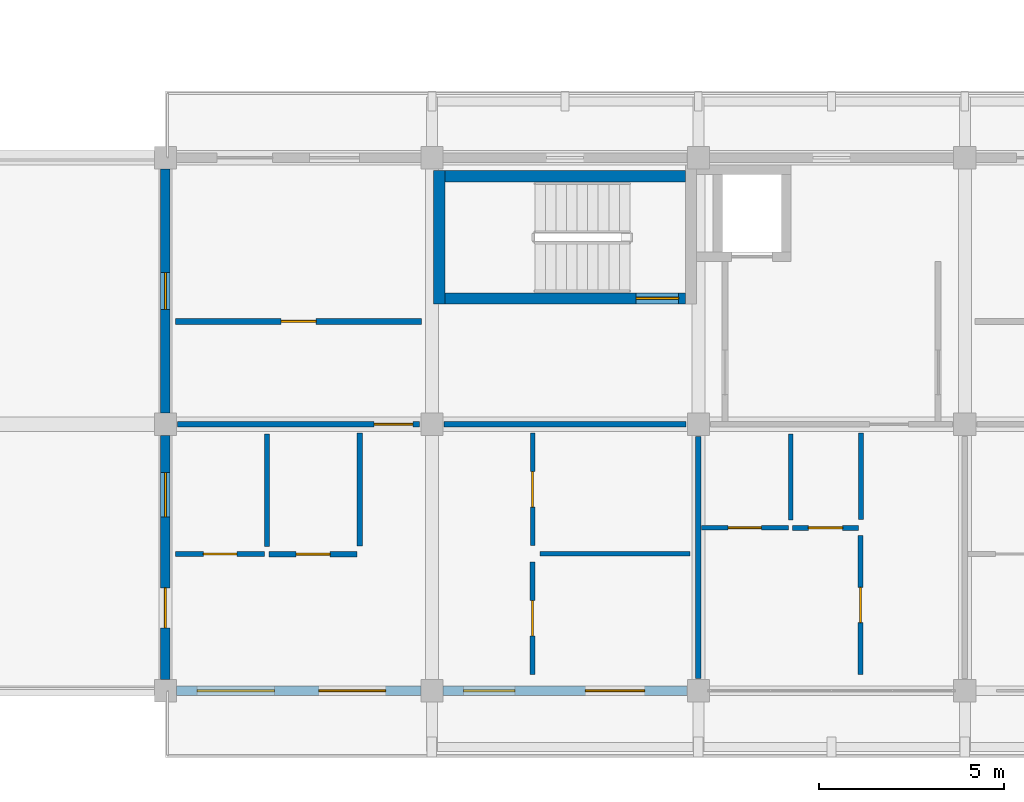
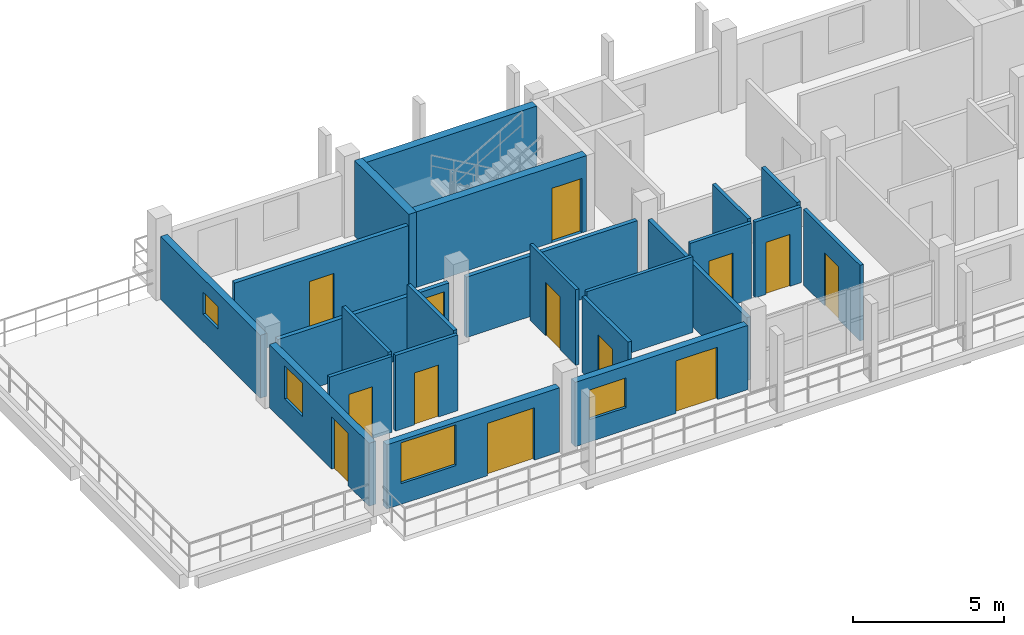
# One storey, part 49 of 75: 23 walls, 13 doors, 4 windows, 17 openings.
"""IFC4 building model written with IfcOpenShell, lengths in metres."""

from ifc_helpers import new_model, si_unit, direction, frame, frame_2d, origin, place, context, subcontext, project, spatial, rectangle, extrude, material, layer, layer_set, type_object, element, fill, save


model = new_model("IFC4")

# Units and contexts
model_context = context("Model", 3, precision=1e-05, world=origin(), true_north=direction((0.0, 1.0)))
body_context = subcontext(model_context, "Body", "Model", "MODEL_VIEW")
ifc_project = project(units=[si_unit("LENGTHUNIT", "METRE"), si_unit("AREAUNIT", "SQUARE_METRE"), si_unit("VOLUMEUNIT", "CUBIC_METRE"), si_unit("PLANEANGLEUNIT", "RADIAN"), si_unit("MASSUNIT", "GRAM", prefix="KILO")], contexts=[model_context])

# Site, building, storey
site_placement = place(None, origin())
site = spatial("IfcSite", under=ifc_project, at=site_placement, CompositionType="ELEMENT")
building_placement = place(site_placement, origin())
building = spatial("IfcBuilding", under=site, at=building_placement, Name="Suanplinth Sawtooth Commons", CompositionType="ELEMENT")
storey_placement = place(building_placement, frame((0.0, 0.0, 18.60009765625)))
storey = spatial("IfcBuildingStorey", under=building, at=storey_placement, Name="L05", CompositionType="ELEMENT", Elevation=18.60009765625)

# Wall, opening, door
ifc_material_1 = material(Name="Concrete C40/50", Category="concrete")
ifc_layer_1 = layer(ifc_material_1, 0.300048828125, Name="Standard RC stair and lift core wall 300mm")
ifc_layer_set_1 = layer_set([ifc_layer_1], Name="Concrete C40/50")
wall_type_1 = type_object("IfcWallType", Name="W-CR02", PredefinedType="SHEAR", material=ifc_layer_set_1)
wall_1_placement = place(storey_placement, frame((137.14990234375, 10.60009765625, 0.0), z_axis=(0.0, 0.0, 1.0), x_axis=(1.0, 0.0, 0.0)))
wall_1 = element("IfcWall", 1, at=wall_1_placement, inside=storey, type_object=wall_type_1, Name="W-L05-C-C1-STS", PredefinedType="SHEAR", context=body_context, shape_type="SweptSolid", body=[
    extrude(rectangle(XDim=6.5, YDim=0.300048828125, at=frame_2d((3.25, 0.0))), origin(), (0.0, 0.0, 1.0), 3.059814453125),
])
opening_1_placement = place(wall_1_placement, frame((5.169921875, 0.0, 0.0)))
opening_1 = element("IfcOpeningElement", 2, at=opening_1_placement, cuts=wall_1, Name="Opening FD0300", PredefinedType="OPENING", context=body_context, shape_type="SweptSolid", body=[
    extrude(rectangle(XDim=1.14990234375, YDim=2.199951171875, at=frame_2d((0.574951171875, 1.10009765625))), frame((0.0, 0.1650390625, 0.0), z_axis=(0.0, -1.0, 0.0), x_axis=(1.0, 0.0, 0.0)), (0.0, 0.0, 1.0), 0.329833984375),
])
ifc_material_2 = material(Name="Teak hardwood fire-rated door assembly", Category="wood")
door_type_1 = type_object("IfcDoorType", Name="FD-01", OperationType="NOTDEFINED", PredefinedType="DOOR", material=ifc_material_2)
door_1_placement = place(opening_1_placement, origin())
door_1 = element("IfcDoor", 3, at=door_1_placement, inside=storey, type_object=door_type_1, Name="Exit Stair Fire Door FD0300", OperationType="SINGLE_SWING_LEFT", OverallHeight=2.199951171875, OverallWidth=1.14990234375, PredefinedType="DOOR", context=body_context, shape_type="SweptSolid", body=[
    extrude(rectangle(XDim=1.14990234375, YDim=2.199951171875, at=frame_2d((0.574951171875, 1.10009765625))), frame((0.0, 0.02490234375, 0.0), z_axis=(0.0, -1.0, 0.0), x_axis=(1.0, 0.0, 0.0)), (0.0, 0.0, 1.0), 0.050048828125),
])
fill(opening_1, door_1)

# Walls
wall_2_placement = place(storey_placement, frame((137.14990234375, 13.89990234375, 0.0), z_axis=(0.0, 0.0, 1.0), x_axis=(1.0, 0.0, 0.0)))
element("IfcWall", 4, at=wall_2_placement, inside=storey, type_object=wall_type_1, Name="W-L05-C-C1-STN", PredefinedType="SHEAR", context=body_context, shape_type="SweptSolid", body=[
    extrude(rectangle(XDim=6.5, YDim=0.300048828125, at=frame_2d((3.25, 0.0))), origin(), (0.0, 0.0, 1.0), 3.059814453125),
])
wall_3_placement = place(storey_placement, frame((137.0, 10.449951171875, 0.0), z_axis=(0.0, 0.0, 1.0), x_axis=(0.0, 1.0, 0.0)))
element("IfcWall", 5, at=wall_3_placement, inside=storey, type_object=wall_type_1, Name="W-L05-C-C1-STW", PredefinedType="SHEAR", context=body_context, shape_type="SweptSolid", body=[
    extrude(rectangle(XDim=3.60009765625, YDim=0.300048828125, at=frame_2d((1.800048828125, 0.0))), origin(), (0.0, 0.0, 1.0), 3.059814453125),
])

# Wall, openings, door, window
ifc_material_3 = material(Name="Precast concrete C40/50", Category="concrete")
ifc_layer_2 = layer(ifc_material_3, 0.260009765625, Name="Insulated precast courtyard facade wall 260mm")
ifc_layer_set_2 = layer_set([ifc_layer_2], Name="Precast concrete C40/50")
wall_type_2 = type_object("IfcWallType", Name="W-EX02", PredefinedType="ELEMENTEDWALL", material=ifc_layer_set_2)
wall_4_placement = place(storey_placement, frame((129.89990234375, 0.0, 0.0), z_axis=(0.0, 0.0, 1.0), x_axis=(1.0, 0.0, 0.0)))
wall_4 = element("IfcWall", 6, at=wall_4_placement, inside=storey, type_object=wall_type_2, Name="Facade Wall W-L05-C-S-18-0", PredefinedType="ELEMENTEDWALL", context=body_context, shape_type="SweptSolid", body=[
    extrude(rectangle(XDim=6.60009765625, YDim=0.260009765625, at=frame_2d((3.300048828125, 0.0))), origin(), (0.0, 0.0, 1.0), 2.594970703125),
])
opening_2_placement = place(wall_4_placement, frame((3.85009765625, 0.0, 0.0)))
opening_2 = element("IfcOpeningElement", 7, at=opening_2_placement, cuts=wall_4, Name="Opening ED0443", PredefinedType="OPENING", context=body_context, shape_type="SweptSolid", body=[
    extrude(rectangle(XDim=1.800048828125, YDim=2.1201171875, at=frame_2d((0.89990234375, 1.06005859375))), frame((0.0, 0.14501953125, 0.0), z_axis=(0.0, -1.0, 0.0), x_axis=(1.0, 0.0, 0.0)), (0.0, 0.0, 1.0), 0.289794921875),
])
opening_3_placement = place(wall_4_placement, frame((0.550048828125, 0.0, 0.8349609375)))
opening_3 = element("IfcOpeningElement", 8, at=opening_3_placement, cuts=wall_4, Name="Opening W0531", PredefinedType="OPENING", context=body_context, shape_type="SweptSolid", body=[
    extrude(rectangle(XDim=2.10009765625, YDim=1.64990234375, at=frame_2d((1.050048828125, 0.824951171875))), frame((0.0, 0.14501953125, 0.0), z_axis=(0.0, -1.0, 0.0), x_axis=(1.0, 0.0, 0.0)), (0.0, 0.0, 1.0), 0.289794921875),
])
ifc_material_4 = material(Name="Anodized aluminium and low-E glass", Category="aluminium")
door_type_2 = type_object("IfcDoorType", Name="SD-01", OperationType="SLIDING_TO_LEFT", PredefinedType="DOOR", material=ifc_material_4)
door_2_placement = place(opening_2_placement, frame((1.800048828125, 0.0, 0.0), z_axis=(0.0, 0.0, 1.0), x_axis=(-1.0, 0.0, 0.0)))
door_2 = element("IfcDoor", 9, at=door_2_placement, inside=storey, type_object=door_type_2, Name="Balcony Sliding Door L05-C-18", OperationType="SLIDING_TO_LEFT", OverallHeight=2.1201171875, OverallWidth=1.800048828125, PredefinedType="DOOR", context=body_context, shape_type="SweptSolid", body=[
    extrude(rectangle(XDim=1.800048828125, YDim=2.1201171875, at=frame_2d((0.89990234375, 1.06005859375))), frame((0.0, 0.02490234375, 0.0), z_axis=(0.0, -1.0, 0.0), x_axis=(1.0, 0.0, 0.0)), (0.0, 0.0, 1.0), 0.050048828125),
])
fill(opening_2, door_2)
ifc_material_5 = material(Name="Thermally broken aluminium and low-E double glazing", Category="aluminium")
window_type_1 = type_object("IfcWindowType", Name="WN-06", PartitioningType="DOUBLE_PANEL_VERTICAL", PredefinedType="WINDOW", material=ifc_material_5)
window_1_placement = place(opening_3_placement, origin())
window_1 = element("IfcWindow", 10, at=window_1_placement, inside=storey, type_object=window_type_1, Name="Apartment Window L05-C-18", OverallHeight=1.64990234375, OverallWidth=2.10009765625, PartitioningType="DOUBLE_PANEL_VERTICAL", PredefinedType="WINDOW", context=body_context, shape_type="SweptSolid", body=[
    extrude(rectangle(XDim=2.10009765625, YDim=1.64990234375, at=frame_2d((1.050048828125, 0.824951171875))), frame((0.0, 0.030029296875, 0.0), z_axis=(0.0, -1.0, 0.0), x_axis=(1.0, 0.0, 0.0)), (0.0, 0.0, 1.0), 0.06005859375),
])
fill(opening_3, window_1)

wall_5_placement = place(storey_placement, frame((129.60009765625, 0.300048828125, 0.0), z_axis=(0.0, 0.0, 1.0), x_axis=(0.0, 1.0, 0.0)))
wall_5 = element("IfcWall", 11, at=wall_5_placement, inside=storey, type_object=wall_type_2, Name="Facade Wall W-L05-C-W-18-0", PredefinedType="ELEMENTEDWALL", context=body_context, shape_type="SweptSolid", body=[
    extrude(rectangle(XDim=6.599853515625, YDim=0.260009765625, at=frame_2d((3.2998046875, 0.0))), origin(), (0.0, 0.0, 1.0), 2.544921875),
])
opening_4_placement = place(wall_5_placement, frame((1.39990234375, 0.0, 0.0)))
opening_4 = element("IfcOpeningElement", 12, at=opening_4_placement, cuts=wall_5, Name="Opening ED0444", PredefinedType="OPENING", context=body_context, shape_type="SweptSolid", body=[
    extrude(rectangle(XDim=1.080078125, YDim=2.1201171875, at=frame_2d((0.5400390625, 1.06005859375))), frame((0.0, 0.14501953125, 0.0), z_axis=(0.0, -1.0, 0.0), x_axis=(1.0, 0.0, 0.0)), (0.0, 0.0, 1.0), 0.289794921875),
])
opening_5_placement = place(wall_5_placement, frame((4.39990234375, 0.0, 0.949951171875)))
opening_5 = element("IfcOpeningElement", 13, at=opening_5_placement, cuts=wall_5, Name="Opening W0532", PredefinedType="OPENING", context=body_context, shape_type="SweptSolid", body=[
    extrude(rectangle(XDim=1.199951171875, YDim=1.35009765625, at=frame_2d((0.60009765625, 0.675048828125))), frame((0.0, 0.14501953125, 0.0), z_axis=(0.0, -1.0, 0.0), x_axis=(1.0, 0.0, 0.0)), (0.0, 0.0, 1.0), 0.289794921875),
])
door_type_3 = type_object("IfcDoorType", Name="ED-10", OperationType="NOTDEFINED", PredefinedType="DOOR", material=ifc_material_4)
door_3_placement = place(opening_4_placement, frame((1.080078125, 0.0, 0.0), z_axis=(0.0, 0.0, 1.0), x_axis=(-1.0, 0.0, 0.0)))
door_3 = element("IfcDoor", 14, at=door_3_placement, inside=storey, type_object=door_type_3, Name="L05 Block C Stepped Sky-Terrace Door 1", OperationType="SINGLE_SWING_RIGHT", OverallHeight=2.1201171875, OverallWidth=1.080078125, PredefinedType="DOOR", context=body_context, shape_type="SweptSolid", body=[
    extrude(rectangle(XDim=1.080078125, YDim=2.1201171875, at=frame_2d((0.5400390625, 1.06005859375))), frame((0.0, 0.02490234375, 0.0), z_axis=(0.0, -1.0, 0.0), x_axis=(1.0, 0.0, 0.0)), (0.0, 0.0, 1.0), 0.050048828125),
])
fill(opening_4, door_3)
window_type_2 = type_object("IfcWindowType", Name="WN-03", PartitioningType="SINGLE_PANEL", PredefinedType="WINDOW", material=ifc_material_5)
window_2_placement = place(opening_5_placement, origin())
window_2 = element("IfcWindow", 15, at=window_2_placement, inside=storey, type_object=window_type_2, Name="Terrace Bedroom Window L05-C-18-0", OverallHeight=1.35009765625, OverallWidth=1.199951171875, PartitioningType="SINGLE_PANEL", PredefinedType="WINDOW", context=body_context, shape_type="SweptSolid", body=[
    extrude(rectangle(XDim=1.199951171875, YDim=1.35009765625, at=frame_2d((0.60009765625, 0.675048828125))), frame((0.0, 0.030029296875, 0.0), z_axis=(0.0, -1.0, 0.0), x_axis=(1.0, 0.0, 0.0)), (0.0, 0.0, 1.0), 0.06005859375),
])
fill(opening_5, window_2)

# Wall, opening, window
wall_6_placement = place(storey_placement, frame((129.60009765625, 7.5, 0.0), z_axis=(0.0, 0.0, 1.0), x_axis=(0.0, 1.0, 0.0)))
wall_6 = element("IfcWall", 16, at=wall_6_placement, inside=storey, type_object=wall_type_2, Name="Facade Wall W-L05-C-W-18-1", PredefinedType="ELEMENTEDWALL", context=body_context, shape_type="SweptSolid", body=[
    extrude(rectangle(XDim=6.60009765625, YDim=0.260009765625, at=frame_2d((3.300048828125, 0.0))), origin(), (0.0, 0.0, 1.0), 2.544921875),
])
opening_6_placement = place(wall_6_placement, frame((2.800048828125, 0.0, 1.10009765625)))
opening_6 = element("IfcOpeningElement", 17, at=opening_6_placement, cuts=wall_6, Name="Opening W0534", PredefinedType="OPENING", context=body_context, shape_type="SweptSolid", body=[
    extrude(rectangle(XDim=1.0, YDim=0.89990234375, at=frame_2d((0.5, 0.449951171875))), frame((0.0, 0.14501953125, 0.0), z_axis=(0.0, -1.0, 0.0), x_axis=(1.0, 0.0, 0.0)), (0.0, 0.0, 1.0), 0.289794921875),
])
window_type_3 = type_object("IfcWindowType", Name="WN-12", PartitioningType="SINGLE_PANEL", PredefinedType="WINDOW", material=ifc_material_5)
window_3_placement = place(opening_6_placement, origin())
window_3 = element("IfcWindow", 18, at=window_3_placement, inside=storey, type_object=window_type_3, Name="End Window L05-C-W-18-1", OverallHeight=0.89990234375, OverallWidth=1.0, PartitioningType="SINGLE_PANEL", PredefinedType="WINDOW", context=body_context, shape_type="SweptSolid", body=[
    extrude(rectangle(XDim=1.0, YDim=0.89990234375, at=frame_2d((0.5, 0.449951171875))), frame((0.0, 0.030029296875, 0.0), z_axis=(0.0, -1.0, 0.0), x_axis=(1.0, 0.0, 0.0)), (0.0, 0.0, 1.0), 0.06005859375),
])
fill(opening_6, window_3)

# Wall, openings, door, window
wall_7_placement = place(storey_placement, frame((137.10009765625, 0.0, 0.0), z_axis=(0.0, 0.0, 1.0), x_axis=(1.0, 0.0, 0.0)))
wall_7 = element("IfcWall", 19, at=wall_7_placement, inside=storey, type_object=wall_type_2, Name="Facade Wall W-L05-C-S-19-0", PredefinedType="ELEMENTEDWALL", context=body_context, shape_type="SweptSolid", body=[
    extrude(rectangle(XDim=6.599853515625, YDim=0.260009765625, at=frame_2d((3.2998046875, 0.0))), origin(), (0.0, 0.0, 1.0), 2.594970703125),
])
opening_7_placement = place(wall_7_placement, frame((3.85009765625, 0.0, 0.0)))
opening_7 = element("IfcOpeningElement", 20, at=opening_7_placement, cuts=wall_7, Name="Opening ED0446", PredefinedType="OPENING", context=body_context, shape_type="SweptSolid", body=[
    extrude(rectangle(XDim=1.60009765625, YDim=2.1201171875, at=frame_2d((0.800048828125, 1.06005859375))), frame((0.0, 0.14501953125, 0.0), z_axis=(0.0, -1.0, 0.0), x_axis=(1.0, 0.0, 0.0)), (0.0, 0.0, 1.0), 0.289794921875),
])
opening_8_placement = place(wall_7_placement, frame((0.550048828125, 0.0, 0.89990234375)))
opening_8 = element("IfcOpeningElement", 21, at=opening_8_placement, cuts=wall_7, Name="Opening W0535", PredefinedType="OPENING", context=body_context, shape_type="SweptSolid", body=[
    extrude(rectangle(XDim=1.39990234375, YDim=1.199951171875, at=frame_2d((0.699951171875, 0.60009765625))), frame((0.0, 0.14501953125, 0.0), z_axis=(0.0, -1.0, 0.0), x_axis=(1.0, 0.0, 0.0)), (0.0, 0.0, 1.0), 0.289794921875),
])
door_type_4 = type_object("IfcDoorType", Name="SD-02", OperationType="SLIDING_TO_RIGHT", PredefinedType="DOOR", material=ifc_material_4)
door_4_placement = place(opening_7_placement, frame((1.60009765625, 0.0, 0.0), z_axis=(0.0, 0.0, 1.0), x_axis=(-1.0, 0.0, 0.0)))
door_4 = element("IfcDoor", 22, at=door_4_placement, inside=storey, type_object=door_type_4, Name="Balcony Sliding Door L05-C-19", OperationType="SLIDING_TO_RIGHT", OverallHeight=2.1201171875, OverallWidth=1.60009765625, PredefinedType="DOOR", context=body_context, shape_type="SweptSolid", body=[
    extrude(rectangle(XDim=1.60009765625, YDim=2.1201171875, at=frame_2d((0.800048828125, 1.06005859375))), frame((0.0, 0.02490234375, 0.0), z_axis=(0.0, -1.0, 0.0), x_axis=(1.0, 0.0, 0.0)), (0.0, 0.0, 1.0), 0.050048828125),
])
fill(opening_7, door_4)
window_type_4 = type_object("IfcWindowType", Name="WN-10", PartitioningType="DOUBLE_PANEL_HORIZONTAL", PredefinedType="WINDOW", material=ifc_material_5)
window_4_placement = place(opening_8_placement, origin())
window_4 = element("IfcWindow", 23, at=window_4_placement, inside=storey, type_object=window_type_4, Name="Apartment Window L05-C-19", OverallHeight=1.199951171875, OverallWidth=1.39990234375, PartitioningType="DOUBLE_PANEL_HORIZONTAL", PredefinedType="WINDOW", context=body_context, shape_type="SweptSolid", body=[
    extrude(rectangle(XDim=1.39990234375, YDim=1.199951171875, at=frame_2d((0.699951171875, 0.60009765625))), frame((0.0, 0.030029296875, 0.0), z_axis=(0.0, -1.0, 0.0), x_axis=(1.0, 0.0, 0.0)), (0.0, 0.0, 1.0), 0.06005859375),
])
fill(opening_8, window_4)

# Wall, opening, door
ifc_layer_3 = layer(ifc_material_3, 0.159912109375, Name="Fire-rated corridor and lobby wall 160mm")
ifc_layer_set_3 = layer_set([ifc_layer_3], Name="Precast concrete C40/50")
wall_type_3 = type_object("IfcWallType", Name="W-FW01", PredefinedType="PARTITIONING", material=ifc_layer_set_3)
wall_8_placement = place(storey_placement, frame((129.929931640625, 7.199951171875, 0.0), z_axis=(0.0, 0.0, 1.0), x_axis=(1.0, 0.0, 0.0)))
wall_8 = element("IfcWall", 24, at=wall_8_placement, inside=storey, type_object=wall_type_3, Name="W-C-L05-U01-COR-S1", PredefinedType="PARTITIONING", context=body_context, shape_type="SweptSolid", body=[
    extrude(rectangle(XDim=6.5400390625, YDim=0.159912109375, at=frame_2d((3.27001953125, 0.0))), origin(), (0.0, 0.0, 1.0), 2.44482421875),
])
opening_9_placement = place(wall_8_placement, frame((5.31005859375, 0.0, 0.0)))
opening_9 = element("IfcOpeningElement", 25, at=opening_9_placement, cuts=wall_8, Name="Opening FD1291", PredefinedType="OPENING", context=body_context, shape_type="SweptSolid", body=[
    extrude(rectangle(XDim=1.050048828125, YDim=2.14990234375, at=frame_2d((0.52490234375, 1.074951171875))), frame((0.0, 0.0947265625, 0.0), z_axis=(0.0, -1.0, 0.0), x_axis=(1.0, 0.0, 0.0)), (0.0, 0.0, 1.0), 0.189697265625),
])
door_type_5 = type_object("IfcDoorType", Name="FD-04", OperationType="NOTDEFINED", PredefinedType="DOOR", material=ifc_material_2)
door_5_placement = place(opening_9_placement, frame((1.050048828125, 0.0, 0.0), z_axis=(0.0, 0.0, 1.0), x_axis=(-1.0, 0.0, 0.0)))
door_5 = element("IfcDoor", 26, at=door_5_placement, inside=storey, type_object=door_type_5, Name="Unit Entrance Door FD1291", OperationType="SINGLE_SWING_LEFT", OverallHeight=2.14990234375, OverallWidth=1.050048828125, PredefinedType="DOOR", context=body_context, shape_type="SweptSolid", body=[
    extrude(rectangle(XDim=1.050048828125, YDim=2.14990234375, at=frame_2d((0.52490234375, 1.074951171875))), frame((0.0, 0.02490234375, 0.0), z_axis=(0.0, -1.0, 0.0), x_axis=(1.0, 0.0, 0.0)), (0.0, 0.0, 1.0), 0.050048828125),
])
fill(opening_9, door_5)

# Wall
wall_9_placement = place(storey_placement, frame((137.1298828125, 7.199951171875, 0.0), z_axis=(0.0, 0.0, 1.0), x_axis=(1.0, 0.0, 0.0)))
element("IfcWall", 27, at=wall_9_placement, inside=storey, type_object=wall_type_3, Name="W-C-L05-U01-COR-S2", PredefinedType="PARTITIONING", context=body_context, shape_type="SweptSolid", body=[
    extrude(rectangle(XDim=6.5400390625, YDim=0.159912109375, at=frame_2d((3.27001953125, 0.0))), origin(), (0.0, 0.0, 1.0), 2.44482421875),
])

# Wall, opening, door
wall_10_placement = place(storey_placement, frame((129.8798828125, 9.97998046875, 0.0), z_axis=(0.0, 0.0, 1.0), x_axis=(1.0, 0.0, 0.0)))
wall_10 = element("IfcWall", 28, at=wall_10_placement, inside=storey, type_object=wall_type_3, Name="W-C-L05-COURTROOM-46-COR", PredefinedType="PARTITIONING", context=body_context, shape_type="SweptSolid", body=[
    extrude(rectangle(XDim=6.64013671875, YDim=0.159912109375, at=frame_2d((3.320068359375, 0.0))), origin(), (0.0, 0.0, 1.0), 3.059814453125),
])
opening_10_placement = place(wall_10_placement, frame((2.85009765625, 0.0, 0.0)))
opening_10 = element("IfcOpeningElement", 29, at=opening_10_placement, cuts=wall_10, Name="Opening D1314", PredefinedType="OPENING", context=body_context, shape_type="SweptSolid", body=[
    extrude(rectangle(XDim=0.93994140625, YDim=2.1201171875, at=frame_2d((0.469970703125, 1.06005859375))), frame((0.0, 0.0947265625, 0.0), z_axis=(0.0, -1.0, 0.0), x_axis=(1.0, 0.0, 0.0)), (0.0, 0.0, 1.0), 0.189697265625),
])
ifc_material_6 = material(Name="Teak hardwood", Category="wood")
door_type_6 = type_object("IfcDoorType", Name="D-15", OperationType="NOTDEFINED", PredefinedType="DOOR", material=ifc_material_6)
door_6_placement = place(opening_10_placement, origin())
door_6 = element("IfcDoor", 30, at=door_6_placement, inside=storey, type_object=door_type_6, Name="Study Studio Door D1314", OperationType="SINGLE_SWING_RIGHT", OverallHeight=2.1201171875, OverallWidth=0.93994140625, PredefinedType="DOOR", context=body_context, shape_type="SweptSolid", body=[
    extrude(rectangle(XDim=0.93994140625, YDim=2.1201171875, at=frame_2d((0.469970703125, 1.06005859375))), frame((0.0, 0.02490234375, 0.0), z_axis=(0.0, -1.0, 0.0), x_axis=(1.0, 0.0, 0.0)), (0.0, 0.0, 1.0), 0.050048828125),
])
fill(opening_10, door_6)

# Wall
ifc_layer_4 = layer(ifc_material_3, 0.14990234375, Name="Acoustic precast party demising wall 150mm")
ifc_layer_set_4 = layer_set([ifc_layer_4], Name="Precast concrete C40/50")
wall_type_4 = type_object("IfcWallType", Name="W-FW02", PredefinedType="PARTITIONING", material=ifc_layer_set_4)
wall_11_placement = place(storey_placement, frame((144.0, 0.330078125, 0.0), z_axis=(0.0, 0.0, 1.0), x_axis=(0.0, 1.0, 0.0)))
element("IfcWall", 31, at=wall_11_placement, inside=storey, type_object=wall_type_4, Name="W-C-L05-U01-PTY", PredefinedType="PARTITIONING", context=body_context, shape_type="SweptSolid", body=[
    extrude(rectangle(XDim=6.5400390625, YDim=0.14990234375, at=frame_2d((3.27001953125, 0.0))), origin(), (0.0, 0.0, 1.0), 2.544921875),
])

# Wall, opening, door
ifc_material_7 = material(Name="Gypsum plasterboard on steel stud", Category="steel")
ifc_layer_5 = layer(ifc_material_7, 0.139892578125, Name="Fire-rated kitchen partition 140mm")
ifc_layer_set_5 = layer_set([ifc_layer_5], Name="Gypsum plasterboard on steel stud")
wall_type_5 = type_object("IfcWallType", Name="W-PT01", PredefinedType="PARTITIONING", material=ifc_layer_set_5)
wall_12_placement = place(storey_placement, frame((132.39990234375, 3.68994140625, 0.0), z_axis=(0.0, 0.0, 1.0), x_axis=(1.0, 0.0, 0.0)))
wall_12 = element("IfcWall", 32, at=wall_12_placement, inside=storey, type_object=wall_type_5, Name="W-C-L05-U01-KIT1", PredefinedType="PARTITIONING", context=body_context, shape_type="SweptSolid", body=[
    extrude(rectangle(XDim=2.380126953125, YDim=0.139892578125, at=frame_2d((1.18994140625, 0.0))), origin(), (0.0, 0.0, 1.0), 3.059814453125),
])
opening_11_placement = place(wall_12_placement, frame((0.72998046875, 0.0, 0.0)))
opening_11 = element("IfcOpeningElement", 33, at=opening_11_placement, cuts=wall_12, Name="Opening D1293", PredefinedType="OPENING", context=body_context, shape_type="SweptSolid", body=[
    extrude(rectangle(XDim=0.919921875, YDim=2.10009765625, at=frame_2d((0.4599609375, 1.050048828125))), frame((0.0, 0.0849609375, 0.0), z_axis=(0.0, -1.0, 0.0), x_axis=(1.0, 0.0, 0.0)), (0.0, 0.0, 1.0), 0.169677734375),
])
door_type_7 = type_object("IfcDoorType", Name="D-02", OperationType="NOTDEFINED", PredefinedType="DOOR", material=ifc_material_6)
door_7_placement = place(opening_11_placement, origin())
door_7 = element("IfcDoor", 34, at=door_7_placement, inside=storey, type_object=door_type_7, Name="Kitchen Door D1293", OperationType="SINGLE_SWING_LEFT", OverallHeight=2.10009765625, OverallWidth=0.919921875, PredefinedType="DOOR", context=body_context, shape_type="SweptSolid", body=[
    extrude(rectangle(XDim=0.919921875, YDim=2.10009765625, at=frame_2d((0.4599609375, 1.050048828125))), frame((0.0, 0.02490234375, 0.0), z_axis=(0.0, -1.0, 0.0), x_axis=(1.0, 0.0, 0.0)), (0.0, 0.0, 1.0), 0.050048828125),
])
fill(opening_11, door_7)

# Wall
wall_13_placement = place(storey_placement, frame((134.85009765625, 3.909912109375, 0.0), z_axis=(0.0, 0.0, 1.0), x_axis=(0.0, 1.0, 0.0)))
element("IfcWall", 35, at=wall_13_placement, inside=storey, type_object=wall_type_5, Name="W-C-L05-U01-KIT2", PredefinedType="PARTITIONING", context=body_context, shape_type="SweptSolid", body=[
    extrude(rectangle(XDim=3.06005859375, YDim=0.139892578125, at=frame_2d((1.530029296875, 0.0))), origin(), (0.0, 0.0, 1.0), 3.059814453125),
])

# Wall, opening, door
wall_14_placement = place(storey_placement, frame((146.550048828125, 4.39990234375, 0.0), z_axis=(0.0, 0.0, 1.0), x_axis=(1.0, 0.0, 0.0)))
wall_14 = element("IfcWall", 36, at=wall_14_placement, inside=storey, type_object=wall_type_5, Name="W-C-L05-U02-KIT1", PredefinedType="PARTITIONING", context=body_context, shape_type="SweptSolid", body=[
    extrude(rectangle(XDim=1.77001953125, YDim=0.139892578125, at=frame_2d((0.885009765625, 0.0))), origin(), (0.0, 0.0, 1.0), 3.059814453125),
])
opening_12_placement = place(wall_14_placement, frame((0.425048828125, 0.0, 0.0)))
opening_12 = element("IfcOpeningElement", 37, at=opening_12_placement, cuts=wall_14, Name="Opening D1298", PredefinedType="OPENING", context=body_context, shape_type="SweptSolid", body=[
    extrude(rectangle(XDim=0.919921875, YDim=2.10009765625, at=frame_2d((0.4599609375, 1.050048828125))), frame((0.0, 0.0849609375, 0.0), z_axis=(0.0, -1.0, 0.0), x_axis=(1.0, 0.0, 0.0)), (0.0, 0.0, 1.0), 0.169677734375),
])
door_8_placement = place(opening_12_placement, origin())
door_8 = element("IfcDoor", 38, at=door_8_placement, inside=storey, type_object=door_type_7, Name="Kitchen Door D1298", OperationType="SINGLE_SWING_RIGHT", OverallHeight=2.10009765625, OverallWidth=0.919921875, PredefinedType="DOOR", context=body_context, shape_type="SweptSolid", body=[
    extrude(rectangle(XDim=0.919921875, YDim=2.10009765625, at=frame_2d((0.4599609375, 1.050048828125))), frame((0.0, 0.02490234375, 0.0), z_axis=(0.0, -1.0, 0.0), x_axis=(1.0, 0.0, 0.0)), (0.0, 0.0, 1.0), 0.050048828125),
])
fill(opening_12, door_8)

# Wall
wall_15_placement = place(storey_placement, frame((148.389892578125, 4.6201171875, 0.0), z_axis=(0.0, 0.0, 1.0), x_axis=(0.0, 1.0, 0.0)))
element("IfcWall", 39, at=wall_15_placement, inside=storey, type_object=wall_type_5, Name="W-C-L05-U02-KIT2", PredefinedType="PARTITIONING", context=body_context, shape_type="SweptSolid", body=[
    extrude(rectangle(XDim=2.349853515625, YDim=0.139892578125, at=frame_2d((1.1748046875, 0.0))), origin(), (0.0, 0.0, 1.0), 3.059814453125),
])

# Wall, opening, door
ifc_layer_6 = layer(ifc_material_7, 0.1298828125, Name="Moisture-resistant bathroom partition 130mm")
ifc_layer_set_6 = layer_set([ifc_layer_6], Name="Gypsum plasterboard on steel stud")
wall_type_6 = type_object("IfcWallType", Name="W-PT02", PredefinedType="PARTITIONING", material=ifc_layer_set_6)
wall_16_placement = place(storey_placement, frame((129.8798828125, 3.695068359375, 0.0), z_axis=(0.0, 0.0, 1.0), x_axis=(1.0, 0.0, 0.0)))
wall_16 = element("IfcWall", 40, at=wall_16_placement, inside=storey, type_object=wall_type_6, Name="W-C-L05-U01-BTH1", PredefinedType="PARTITIONING", context=body_context, shape_type="SweptSolid", body=[
    extrude(rectangle(XDim=2.400146484375, YDim=0.1298828125, at=frame_2d((1.2001953125, 0.0))), origin(), (0.0, 0.0, 1.0), 3.059814453125),
])
opening_13_placement = place(wall_16_placement, frame((0.75, 0.0, 0.0)))
opening_13 = element("IfcOpeningElement", 41, at=opening_13_placement, cuts=wall_16, Name="Opening D1292", PredefinedType="OPENING", context=body_context, shape_type="SweptSolid", body=[
    extrude(rectangle(XDim=0.89990234375, YDim=2.10009765625, at=frame_2d((0.449951171875, 1.050048828125))), frame((0.0, 0.079833984375, 0.0), z_axis=(0.0, -1.0, 0.0), x_axis=(1.0, 0.0, 0.0)), (0.0, 0.0, 1.0), 0.15966796875),
])
door_type_8 = type_object("IfcDoorType", Name="D-01", OperationType="NOTDEFINED", PredefinedType="DOOR", material=ifc_material_6)
door_9_placement = place(opening_13_placement, origin())
door_9 = element("IfcDoor", 42, at=door_9_placement, inside=storey, type_object=door_type_8, Name="Bathroom Door D1292", OperationType="SINGLE_SWING_RIGHT", OverallHeight=2.10009765625, OverallWidth=0.89990234375, PredefinedType="DOOR", context=body_context, shape_type="SweptSolid", body=[
    extrude(rectangle(XDim=0.89990234375, YDim=2.10009765625, at=frame_2d((0.449951171875, 1.050048828125))), frame((0.0, 0.02490234375, 0.0), z_axis=(0.0, -1.0, 0.0), x_axis=(1.0, 0.0, 0.0)), (0.0, 0.0, 1.0), 0.050048828125),
])
fill(opening_13, door_9)

# Wall
wall_17_placement = place(storey_placement, frame((132.344970703125, 3.89990234375, 0.0), z_axis=(0.0, 0.0, 1.0), x_axis=(0.0, 1.0, 0.0)))
element("IfcWall", 43, at=wall_17_placement, inside=storey, type_object=wall_type_6, Name="W-C-L05-U01-BTH2", PredefinedType="PARTITIONING", context=body_context, shape_type="SweptSolid", body=[
    extrude(rectangle(XDim=3.0400390625, YDim=0.1298828125, at=frame_2d((1.52001953125, 0.0))), origin(), (0.0, 0.0, 1.0), 3.059814453125),
])

# Wall, opening, door
wall_18_placement = place(storey_placement, frame((144.080078125, 4.405029296875, 0.0), z_axis=(0.0, 0.0, 1.0), x_axis=(1.0, 0.0, 0.0)))
wall_18 = element("IfcWall", 44, at=wall_18_placement, inside=storey, type_object=wall_type_6, Name="W-C-L05-U02-BTH1", PredefinedType="PARTITIONING", context=body_context, shape_type="SweptSolid", body=[
    extrude(rectangle(XDim=2.349853515625, YDim=0.1298828125, at=frame_2d((1.1748046875, 0.0))), origin(), (0.0, 0.0, 1.0), 3.059814453125),
])
opening_14_placement = place(wall_18_placement, frame((0.72509765625, 0.0, 0.0)))
opening_14 = element("IfcOpeningElement", 45, at=opening_14_placement, cuts=wall_18, Name="Opening D1297", PredefinedType="OPENING", context=body_context, shape_type="SweptSolid", body=[
    extrude(rectangle(XDim=0.89990234375, YDim=2.10009765625, at=frame_2d((0.449951171875, 1.050048828125))), frame((0.0, 0.079833984375, 0.0), z_axis=(0.0, -1.0, 0.0), x_axis=(1.0, 0.0, 0.0)), (0.0, 0.0, 1.0), 0.15966796875),
])
door_10_placement = place(opening_14_placement, origin())
door_10 = element("IfcDoor", 46, at=door_10_placement, inside=storey, type_object=door_type_8, Name="Bathroom Door D1297", OperationType="SINGLE_SWING_LEFT", OverallHeight=2.10009765625, OverallWidth=0.89990234375, PredefinedType="DOOR", context=body_context, shape_type="SweptSolid", body=[
    extrude(rectangle(XDim=0.89990234375, YDim=2.10009765625, at=frame_2d((0.449951171875, 1.050048828125))), frame((0.0, 0.02490234375, 0.0), z_axis=(0.0, -1.0, 0.0), x_axis=(1.0, 0.0, 0.0)), (0.0, 0.0, 1.0), 0.050048828125),
])
fill(opening_14, door_10)

# Wall
wall_19_placement = place(storey_placement, frame((146.4951171875, 4.610107421875, 0.0), z_axis=(0.0, 0.0, 1.0), x_axis=(0.0, 1.0, 0.0)))
element("IfcWall", 47, at=wall_19_placement, inside=storey, type_object=wall_type_6, Name="W-C-L05-U02-BTH2", PredefinedType="PARTITIONING", context=body_context, shape_type="SweptSolid", body=[
    extrude(rectangle(XDim=2.329833984375, YDim=0.1298828125, at=frame_2d((1.1650390625, 0.0))), origin(), (0.0, 0.0, 1.0), 3.059814453125),
])

# Wall, opening, door
ifc_layer_7 = layer(ifc_material_7, 0.1201171875, Name="Acoustic bedroom partition 120mm")
ifc_layer_set_7 = layer_set([ifc_layer_7], Name="Gypsum plasterboard on steel stud")
wall_type_7 = type_object("IfcWallType", Name="W-PT03", PredefinedType="PARTITIONING", material=ifc_layer_set_7)
wall_20_placement = place(storey_placement, frame((139.52001953125, 3.919921875, 0.0), z_axis=(0.0, 0.0, 1.0), x_axis=(0.0, 1.0, 0.0)))
wall_20 = element("IfcWall", 48, at=wall_20_placement, inside=storey, type_object=wall_type_7, Name="W-C-L05-U01-BED2", PredefinedType="PARTITIONING", context=body_context, shape_type="SweptSolid", body=[
    extrude(rectangle(XDim=3.0400390625, YDim=0.1201171875, at=frame_2d((1.52001953125, 0.0))), origin(), (0.0, 0.0, 1.0), 3.059814453125),
])
opening_15_placement = place(wall_20_placement, frame((1.0400390625, 0.0, 0.0)))
opening_15 = element("IfcOpeningElement", 49, at=opening_15_placement, cuts=wall_20, Name="Opening D1295", PredefinedType="OPENING", context=body_context, shape_type="SweptSolid", body=[
    extrude(rectangle(XDim=0.9599609375, YDim=2.14990234375, at=frame_2d((0.47998046875, 1.074951171875))), frame((0.0, 0.074951171875, 0.0), z_axis=(0.0, -1.0, 0.0), x_axis=(1.0, 0.0, 0.0)), (0.0, 0.0, 1.0), 0.14990234375),
])
door_type_9 = type_object("IfcDoorType", Name="D-13", OperationType="NOTDEFINED", PredefinedType="DOOR", material=ifc_material_6)
door_11_placement = place(opening_15_placement, frame((0.9599609375, 0.0, 0.0), z_axis=(0.0, 0.0, 1.0), x_axis=(-1.0, 0.0, 0.0)))
door_11 = element("IfcDoor", 50, at=door_11_placement, inside=storey, type_object=door_type_9, Name="Second Bedroom Door D1295", OperationType="SINGLE_SWING_LEFT", OverallHeight=2.14990234375, OverallWidth=0.9599609375, PredefinedType="DOOR", context=body_context, shape_type="SweptSolid", body=[
    extrude(rectangle(XDim=0.9599609375, YDim=2.14990234375, at=frame_2d((0.47998046875, 1.074951171875))), frame((0.0, 0.02490234375, 0.0), z_axis=(0.0, -1.0, 0.0), x_axis=(1.0, 0.0, 0.0)), (0.0, 0.0, 1.0), 0.050048828125),
])
fill(opening_15, door_11)

# Wall
ifc_layer_8 = layer(ifc_material_7, 0.125, Name="Acoustic study partition 125mm")
ifc_layer_set_8 = layer_set([ifc_layer_8], Name="Gypsum plasterboard on steel stud")
wall_type_8 = type_object("IfcWallType", Name="W-PT06", PredefinedType="PARTITIONING", material=ifc_layer_set_8)
wall_21_placement = place(storey_placement, frame((139.719970703125, 3.699951171875, 0.0), z_axis=(0.0, 0.0, 1.0), x_axis=(1.0, 0.0, 0.0)))
element("IfcWall", 51, at=wall_21_placement, inside=storey, type_object=wall_type_8, Name="W-C-L05-U01-BEDDIV", PredefinedType="PARTITIONING", context=body_context, shape_type="SweptSolid", body=[
    extrude(rectangle(XDim=4.06005859375, YDim=0.125, at=frame_2d((2.030029296875, 0.0))), origin(), (0.0, 0.0, 1.0), 3.059814453125),
])

# Wall, opening, door
ifc_layer_9 = layer(ifc_material_7, 0.135009765625, Name="Insulated bedroom demising partition 135mm")
ifc_layer_set_9 = layer_set([ifc_layer_9], Name="Gypsum plasterboard on steel stud")
wall_type_9 = type_object("IfcWallType", Name="W-PT07", PredefinedType="PARTITIONING", material=ifc_layer_set_9)
wall_22_placement = place(storey_placement, frame((139.52001953125, 0.43994140625, 0.0), z_axis=(0.0, 0.0, 1.0), x_axis=(0.0, 1.0, 0.0)))
wall_22 = element("IfcWall", 52, at=wall_22_placement, inside=storey, type_object=wall_type_9, Name="W-C-L05-U01-BED1", PredefinedType="PARTITIONING", context=body_context, shape_type="SweptSolid", body=[
    extrude(rectangle(XDim=3.0400390625, YDim=0.135009765625, at=frame_2d((1.52001953125, 0.0))), origin(), (0.0, 0.0, 1.0), 3.059814453125),
])
opening_16_placement = place(wall_22_placement, frame((1.044921875, 0.0, 0.0)))
opening_16 = element("IfcOpeningElement", 53, at=opening_16_placement, cuts=wall_22, Name="Opening D1294", PredefinedType="OPENING", context=body_context, shape_type="SweptSolid", body=[
    extrude(rectangle(XDim=0.949951171875, YDim=2.14990234375, at=frame_2d((0.47509765625, 1.074951171875))), frame((0.0, 0.08251953125, 0.0), z_axis=(0.0, -1.0, 0.0), x_axis=(1.0, 0.0, 0.0)), (0.0, 0.0, 1.0), 0.164794921875),
])
door_type_10 = type_object("IfcDoorType", Name="D-03", OperationType="NOTDEFINED", PredefinedType="DOOR", material=ifc_material_6)
door_12_placement = place(opening_16_placement, frame((0.949951171875, 0.0, 0.0), z_axis=(0.0, 0.0, 1.0), x_axis=(-1.0, 0.0, 0.0)))
door_12 = element("IfcDoor", 54, at=door_12_placement, inside=storey, type_object=door_type_10, Name="Bedroom Door D1294", OperationType="SINGLE_SWING_RIGHT", OverallHeight=2.14990234375, OverallWidth=0.949951171875, PredefinedType="DOOR", context=body_context, shape_type="SweptSolid", body=[
    extrude(rectangle(XDim=0.949951171875, YDim=2.14990234375, at=frame_2d((0.47509765625, 1.074951171875))), frame((0.0, 0.02490234375, 0.0), z_axis=(0.0, -1.0, 0.0), x_axis=(1.0, 0.0, 0.0)), (0.0, 0.0, 1.0), 0.050048828125),
])
fill(opening_16, door_12)

wall_23_placement = place(storey_placement, frame((148.3798828125, 0.43994140625, 0.0), z_axis=(0.0, 0.0, 1.0), x_axis=(0.0, 1.0, 0.0)))
wall_23 = element("IfcWall", 55, at=wall_23_placement, inside=storey, type_object=wall_type_9, Name="W-C-L05-U02-BED1", PredefinedType="PARTITIONING", context=body_context, shape_type="SweptSolid", body=[
    extrude(rectangle(XDim=3.75, YDim=0.135009765625, at=frame_2d((1.875, 0.0))), origin(), (0.0, 0.0, 1.0), 3.059814453125),
])
opening_17_placement = place(wall_23_placement, frame((1.39990234375, 0.0, 0.0)))
opening_17 = element("IfcOpeningElement", 56, at=opening_17_placement, cuts=wall_23, Name="Opening D1299", PredefinedType="OPENING", context=body_context, shape_type="SweptSolid", body=[
    extrude(rectangle(XDim=0.949951171875, YDim=2.14990234375, at=frame_2d((0.47509765625, 1.074951171875))), frame((0.0, 0.08251953125, 0.0), z_axis=(0.0, -1.0, 0.0), x_axis=(1.0, 0.0, 0.0)), (0.0, 0.0, 1.0), 0.164794921875),
])
door_13_placement = place(opening_17_placement, origin())
door_13 = element("IfcDoor", 57, at=door_13_placement, inside=storey, type_object=door_type_10, Name="Bedroom Door D1299", OperationType="SINGLE_SWING_LEFT", OverallHeight=2.14990234375, OverallWidth=0.949951171875, PredefinedType="DOOR", context=body_context, shape_type="SweptSolid", body=[
    extrude(rectangle(XDim=0.949951171875, YDim=2.14990234375, at=frame_2d((0.47509765625, 1.074951171875))), frame((0.0, 0.02490234375, 0.0), z_axis=(0.0, -1.0, 0.0), x_axis=(1.0, 0.0, 0.0)), (0.0, 0.0, 1.0), 0.050048828125),
])
fill(opening_17, door_13)

save(model, "model.ifc")
